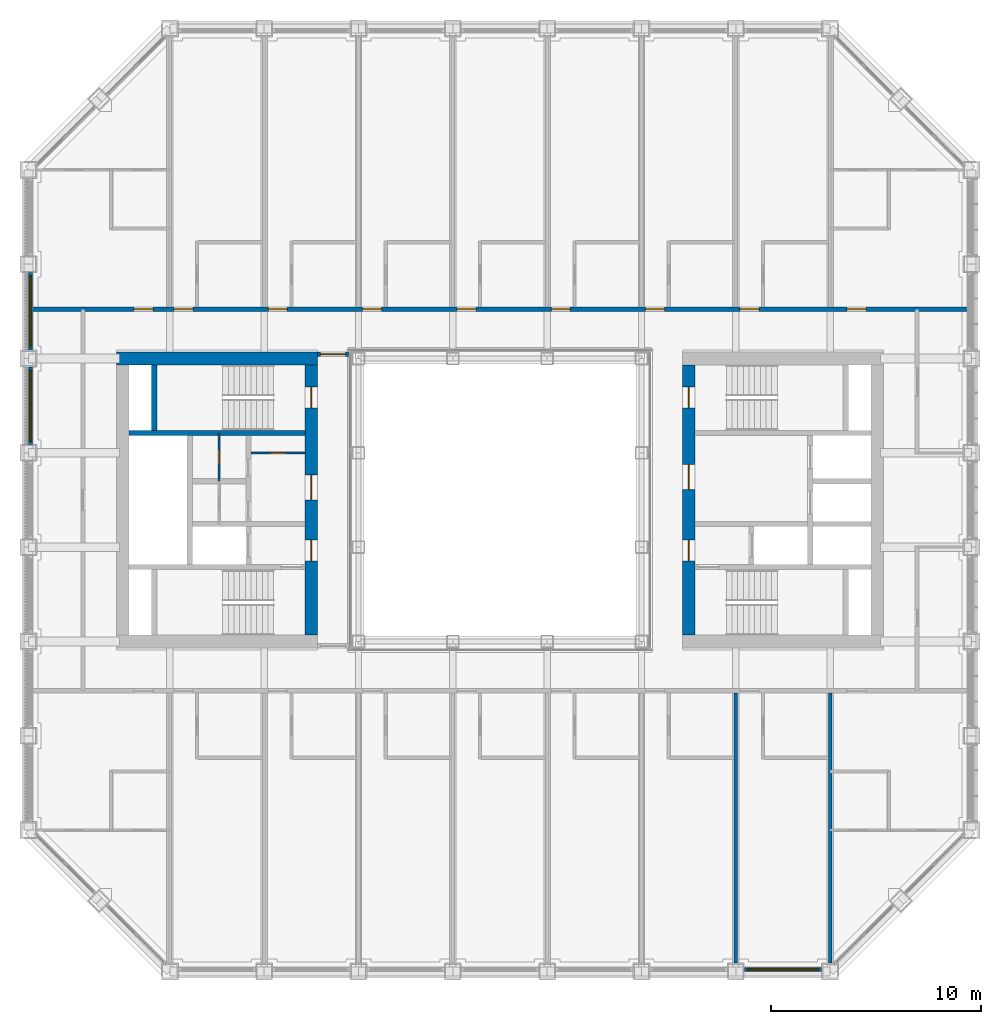
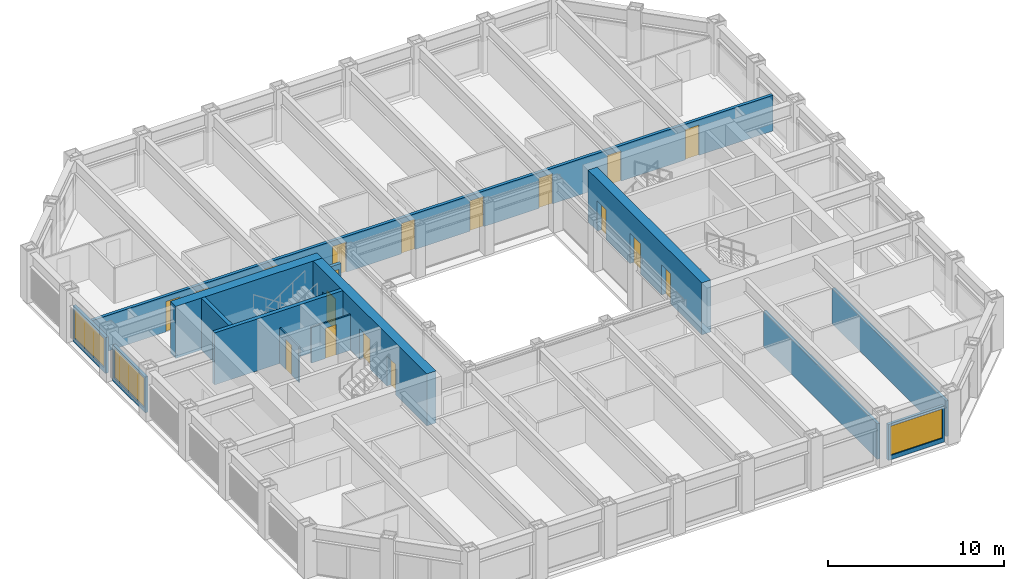
# One storey, part 12 of 18: 18 doors, 14 walls, 3 windows, 21 openings.
"""IFC4 building model written with IfcOpenShell, lengths in metres."""

from ifc_helpers import new_model, si_unit, direction, frame, frame_2d, origin, place, context, subcontext, project, spatial, rectangle, extrude, material, layer, layer_set, type_object, element, fill, save


model = new_model("IFC4")

# Units and contexts
model_context = context("Model", 3, precision=1e-05, world=origin(), true_north=direction((0.0, 1.0)))
body_context = subcontext(model_context, "Body", "Model", "MODEL_VIEW")
ifc_project = project(units=[si_unit("LENGTHUNIT", "METRE"), si_unit("AREAUNIT", "SQUARE_METRE"), si_unit("VOLUMEUNIT", "CUBIC_METRE"), si_unit("PLANEANGLEUNIT", "RADIAN"), si_unit("MASSUNIT", "GRAM", prefix="KILO")], contexts=[model_context])

# Site, building, storey
site_placement = place(None, origin())
site = spatial("IfcSite", under=ifc_project, at=site_placement, CompositionType="ELEMENT")
building_placement = place(site_placement, origin())
building = spatial("IfcBuilding", under=site, at=building_placement, Name="Msasa Ring Tower", CompositionType="ELEMENT")
storey_placement = place(building_placement, frame((0.0, 0.0, 125.60009765625)))
storey = spatial("IfcBuildingStorey", under=building, at=storey_placement, Name="L32", CompositionType="ELEMENT", Elevation=125.60009765625)

# Wall, openings, doors
ifc_material_1 = material(Name="Concrete C60/75", Category="concrete")
ifc_layer_1 = layer(ifc_material_1, 0.60009765625)
ifc_layer_set_1 = layer_set([ifc_layer_1], Name="CW2 CORE WALL 600")
wall_type_1 = type_object("IfcWallType", Name="CW2 CORE WALL 600", PredefinedType="SHEAR", material=ifc_layer_set_1)
wall_1_placement = place(storey_placement, frame((9.0, -6.449951171875, 0.0), z_axis=(0.0, 0.0, 1.0), x_axis=(0.0, 1.0, 0.0)))
wall_1 = element("IfcWall", 1, at=wall_1_placement, inside=storey, type_object=wall_type_1, Name="E core wall W L32", PredefinedType="SHEAR", context=body_context, shape_type="SweptSolid", body=[
    extrude(rectangle(XDim=12.89990234375, YDim=0.60009765625, at=frame_2d((6.449951171875, 0.0))), origin(), (0.0, 0.0, 1.0), 3.599853515625),
])
opening_1_placement = place(wall_1_placement, frame((3.550048828125, 0.0, 0.0)))
opening_1 = element("IfcOpeningElement", 2, at=opening_1_placement, cuts=wall_1, Name="Opening HA-034", PredefinedType="OPENING", context=body_context, shape_type="SweptSolid", body=[
    extrude(rectangle(XDim=1.0, YDim=2.10009765625, at=frame_2d((0.5, 1.050048828125))), frame((0.0, 0.31005859375, 0.0), z_axis=(0.0, -1.0, 0.0), x_axis=(1.0, 0.0, 0.0)), (0.0, 0.0, 1.0), 0.6201171875),
])
opening_2_placement = place(wall_1_placement, frame((6.949951171875, 0.0, 0.0)))
opening_2 = element("IfcOpeningElement", 3, at=opening_2_placement, cuts=wall_1, Name="Opening HA-028", PredefinedType="OPENING", context=body_context, shape_type="SweptSolid", body=[
    extrude(rectangle(XDim=1.199951171875, YDim=2.10009765625, at=frame_2d((0.60009765625, 1.050048828125))), frame((0.0, 0.31005859375, 0.0), z_axis=(0.0, -1.0, 0.0), x_axis=(1.0, 0.0, 0.0)), (0.0, 0.0, 1.0), 0.6201171875),
])
opening_3_placement = place(wall_1_placement, frame((10.85009765625, 0.0, 0.0)))
opening_3 = element("IfcOpeningElement", 4, at=opening_3_placement, cuts=wall_1, Name="Opening HA-024", PredefinedType="OPENING", context=body_context, shape_type="SweptSolid", body=[
    extrude(rectangle(XDim=1.0, YDim=2.10009765625, at=frame_2d((0.5, 1.050048828125))), frame((0.0, 0.31005859375, 0.0), z_axis=(0.0, -1.0, 0.0), x_axis=(1.0, 0.0, 0.0)), (0.0, 0.0, 1.0), 0.6201171875),
])
ifc_material_2 = material(Name="Timber door leaf in a steel frame", Category="steel")
door_type_1 = type_object("IfcDoorType", Name="D4 LOBBY DOOR 1000x2100", OperationType="SINGLE_SWING_LEFT", PredefinedType="DOOR", material=ifc_material_2)
door_1_placement = place(opening_1_placement, origin())
door_1 = element("IfcDoor", 5, at=door_1_placement, inside=storey, type_object=door_type_1, Name="Door L32-EFFL", OperationType="SINGLE_SWING_LEFT", OverallHeight=2.10009765625, OverallWidth=1.0, PredefinedType="DOOR", context=body_context, shape_type="SweptSolid", body=[
    extrude(rectangle(XDim=1.0, YDim=2.10009765625, at=frame_2d((0.5, 1.050048828125))), frame((0.0, 0.02490234375, 0.0), z_axis=(0.0, -1.0, 0.0), x_axis=(1.0, 0.0, 0.0)), (0.0, 0.0, 1.0), 0.050048828125),
])
fill(opening_1, door_1)
ifc_material_3 = material(Name="Timber door leaf in a steel frame", Category="steel")
door_type_2 = type_object("IfcDoorType", Name="D5 WIDE LOBBY DOOR 1200x2100", OperationType="SINGLE_SWING_LEFT", PredefinedType="DOOR", material=ifc_material_3)
door_2_placement = place(opening_2_placement, origin())
door_2 = element("IfcDoor", 6, at=door_2_placement, inside=storey, type_object=door_type_2, Name="Door L32-ELL", OperationType="SINGLE_SWING_RIGHT", OverallHeight=2.10009765625, OverallWidth=1.199951171875, PredefinedType="DOOR", context=body_context, shape_type="SweptSolid", body=[
    extrude(rectangle(XDim=1.199951171875, YDim=2.10009765625, at=frame_2d((0.60009765625, 1.050048828125))), frame((0.0, 0.02490234375, 0.0), z_axis=(0.0, -1.0, 0.0), x_axis=(1.0, 0.0, 0.0)), (0.0, 0.0, 1.0), 0.050048828125),
])
fill(opening_2, door_2)
ifc_material_4 = material(Name="Timber door leaf in a steel frame", Category="steel")
door_type_3 = type_object("IfcDoorType", Name="D6 STAIR DOOR 1000x2100", OperationType="SINGLE_SWING_LEFT", PredefinedType="DOOR", material=ifc_material_4)
door_3_placement = place(opening_3_placement, origin())
door_3 = element("IfcDoor", 7, at=door_3_placement, inside=storey, type_object=door_type_3, Name="Door L32-ESTB", OperationType="SINGLE_SWING_RIGHT", OverallHeight=2.10009765625, OverallWidth=1.0, PredefinedType="DOOR", context=body_context, shape_type="SweptSolid", body=[
    extrude(rectangle(XDim=1.0, YDim=2.10009765625, at=frame_2d((0.5, 1.050048828125))), frame((0.0, 0.02490234375, 0.0), z_axis=(0.0, -1.0, 0.0), x_axis=(1.0, 0.0, 0.0)), (0.0, 0.0, 1.0), 0.050048828125),
])
fill(opening_3, door_3)

# Wall
wall_2_placement = place(storey_placement, frame((-8.699951171875, 6.75, 0.0), z_axis=(0.0, 0.0, 1.0), x_axis=(-1.0, 0.0, 0.0)))
element("IfcWall", 8, at=wall_2_placement, inside=storey, type_object=wall_type_1, Name="W core wall N L32", PredefinedType="SHEAR", context=body_context, shape_type="SweptSolid", body=[
    extrude(rectangle(XDim=9.60009765625, YDim=0.60009765625, at=frame_2d((4.800048828125, 0.0))), origin(), (0.0, 0.0, 1.0), 3.599853515625),
])

# Wall, openings, doors
wall_3_placement = place(storey_placement, frame((-9.0, -6.449951171875, 0.0), z_axis=(0.0, 0.0, 1.0), x_axis=(0.0, 1.0, 0.0)))
wall_3 = element("IfcWall", 9, at=wall_3_placement, inside=storey, type_object=wall_type_1, Name="W core wall W L32", PredefinedType="SHEAR", context=body_context, shape_type="SweptSolid", body=[
    extrude(rectangle(XDim=12.89990234375, YDim=0.60009765625, at=frame_2d((6.449951171875, 0.0))), origin(), (0.0, 0.0, 1.0), 3.599853515625),
])
opening_4_placement = place(wall_3_placement, frame((3.550048828125, 0.0, 0.0)))
opening_4 = element("IfcOpeningElement", 10, at=opening_4_placement, cuts=wall_3, Name="Opening HA-033", PredefinedType="OPENING", context=body_context, shape_type="SweptSolid", body=[
    extrude(rectangle(XDim=1.0, YDim=2.10009765625, at=frame_2d((0.5, 1.050048828125))), frame((0.0, 0.31005859375, 0.0), z_axis=(0.0, -1.0, 0.0), x_axis=(1.0, 0.0, 0.0)), (0.0, 0.0, 1.0), 0.6201171875),
])
opening_5_placement = place(wall_3_placement, frame((6.449951171875, 0.0, 0.0)))
opening_5 = element("IfcOpeningElement", 11, at=opening_5_placement, cuts=wall_3, Name="Opening HA-029", PredefinedType="OPENING", context=body_context, shape_type="SweptSolid", body=[
    extrude(rectangle(XDim=1.199951171875, YDim=2.10009765625, at=frame_2d((0.60009765625, 1.050048828125))), frame((0.0, 0.31005859375, 0.0), z_axis=(0.0, -1.0, 0.0), x_axis=(1.0, 0.0, 0.0)), (0.0, 0.0, 1.0), 0.6201171875),
])
opening_6_placement = place(wall_3_placement, frame((10.85009765625, 0.0, 0.0)))
opening_6 = element("IfcOpeningElement", 12, at=opening_6_placement, cuts=wall_3, Name="Opening HA-023", PredefinedType="OPENING", context=body_context, shape_type="SweptSolid", body=[
    extrude(rectangle(XDim=1.0, YDim=2.10009765625, at=frame_2d((0.5, 1.050048828125))), frame((0.0, 0.31005859375, 0.0), z_axis=(0.0, -1.0, 0.0), x_axis=(1.0, 0.0, 0.0)), (0.0, 0.0, 1.0), 0.6201171875),
])
door_4_placement = place(opening_4_placement, origin())
door_4 = element("IfcDoor", 13, at=door_4_placement, inside=storey, type_object=door_type_1, Name="Door L32-WFFL", OperationType="SINGLE_SWING_LEFT", OverallHeight=2.10009765625, OverallWidth=1.0, PredefinedType="DOOR", context=body_context, shape_type="SweptSolid", body=[
    extrude(rectangle(XDim=1.0, YDim=2.10009765625, at=frame_2d((0.5, 1.050048828125))), frame((0.0, 0.02490234375, 0.0), z_axis=(0.0, -1.0, 0.0), x_axis=(1.0, 0.0, 0.0)), (0.0, 0.0, 1.0), 0.050048828125),
])
fill(opening_4, door_4)
door_5_placement = place(opening_5_placement, origin())
door_5 = element("IfcDoor", 14, at=door_5_placement, inside=storey, type_object=door_type_2, Name="Door L32-WLL", OperationType="SINGLE_SWING_RIGHT", OverallHeight=2.10009765625, OverallWidth=1.199951171875, PredefinedType="DOOR", context=body_context, shape_type="SweptSolid", body=[
    extrude(rectangle(XDim=1.199951171875, YDim=2.10009765625, at=frame_2d((0.60009765625, 1.050048828125))), frame((0.0, 0.02490234375, 0.0), z_axis=(0.0, -1.0, 0.0), x_axis=(1.0, 0.0, 0.0)), (0.0, 0.0, 1.0), 0.050048828125),
])
fill(opening_5, door_5)
door_6_placement = place(opening_6_placement, origin())
door_6 = element("IfcDoor", 15, at=door_6_placement, inside=storey, type_object=door_type_3, Name="Door L32-WSTB", OperationType="SINGLE_SWING_RIGHT", OverallHeight=2.10009765625, OverallWidth=1.0, PredefinedType="DOOR", context=body_context, shape_type="SweptSolid", body=[
    extrude(rectangle(XDim=1.0, YDim=2.10009765625, at=frame_2d((0.5, 1.050048828125))), frame((0.0, 0.02490234375, 0.0), z_axis=(0.0, -1.0, 0.0), x_axis=(1.0, 0.0, 0.0)), (0.0, 0.0, 1.0), 0.050048828125),
])
fill(opening_6, door_6)

# Walls
ifc_material_5 = material(Name="Concrete C60/75", Category="concrete")
ifc_layer_2 = layer(ifc_material_5, 0.25)
ifc_layer_set_2 = layer_set([ifc_layer_2], Name="CW4 CORE INNER WALL 250")
wall_type_2 = type_object("IfcWallType", Name="CW4 CORE INNER WALL 250", PredefinedType="SHEAR", material=ifc_layer_set_2)
wall_4_placement = place(storey_placement, frame((-9.300048828125, 3.199951171875, 0.0), z_axis=(0.0, 0.0, 1.0), x_axis=(-1.0, 0.0, 0.0)))
element("IfcWall", 16, at=wall_4_placement, inside=storey, type_object=wall_type_2, Name="W core wall STAIRB L32", PredefinedType="SHEAR", context=body_context, shape_type="SweptSolid", body=[
    extrude(rectangle(XDim=8.39990234375, YDim=0.25, at=frame_2d((4.199951171875, 0.0))), origin(), (0.0, 0.0, 1.0), 3.599853515625),
])
wall_5_placement = place(storey_placement, frame((-16.5, 3.324951171875, 0.0), z_axis=(0.0, 0.0, 1.0), x_axis=(0.0, 1.0, 0.0)))
element("IfcWall", 17, at=wall_5_placement, inside=storey, type_object=wall_type_2, Name="W core wall RISERB L32", PredefinedType="SHEAR", context=body_context, shape_type="SweptSolid", body=[
    extrude(rectangle(XDim=3.125, YDim=0.25, at=frame_2d((1.5625, 0.0))), origin(), (0.0, 0.0, 1.0), 3.599853515625),
])

# Wall, opening, window
ifc_material_6 = material(Name="Terracotta rainscreen on blockwork", Category="masonry")
ifc_layer_3 = layer(ifc_material_6, 0.199951171875)
ifc_layer_set_3 = layer_set([ifc_layer_3], Name="FW1 TERRACOTTA-LINED INFILL BAY WALL 200")
wall_type_3 = type_object("IfcWallType", Name="FW1 TERRACOTTA-LINED INFILL BAY WALL 200", PredefinedType="SOLIDWALL", material=ifc_layer_set_3)
wall_6_placement = place(storey_placement, frame((11.655029296875, -22.39990234375, 0.0), z_axis=(0.0, 0.0, 1.0), x_axis=(1.0, 0.0, 0.0)))
wall_6 = element("IfcWall", 18, at=wall_6_placement, inside=storey, type_object=wall_type_3, Name="Infill bay wall S L32 06", PredefinedType="SOLIDWALL", context=body_context, shape_type="SweptSolid", body=[
    extrude(rectangle(XDim=3.68994140625, YDim=0.199951171875, at=frame_2d((1.844970703125, 0.0))), origin(), (0.0, 0.0, 1.0), 2.47900390625),
])
opening_7_placement = place(wall_6_placement, frame((0.14501953125, 0.0, 0.300048828125)))
opening_7 = element("IfcOpeningElement", 19, at=opening_7_placement, cuts=wall_6, Name="Opening WN2", PredefinedType="OPENING", context=body_context, shape_type="SweptSolid", body=[
    extrude(rectangle(XDim=3.39990234375, YDim=2.029052734375, at=frame_2d((1.699951171875, 1.0146484375))), frame((0.0, 0.10986328125, 0.0), z_axis=(0.0, -1.0, 0.0), x_axis=(1.0, 0.0, 0.0)), (0.0, 0.0, 1.0), 0.219970703125),
])
ifc_material_7 = material(Name="Aluminium frame with clear glass", Category="aluminium")
window_type = type_object("IfcWindowType", Name="WN2 GUEST ROOM WINDOW 3400x2029", PartitioningType="SINGLE_PANEL", PredefinedType="WINDOW", material=ifc_material_7)
window_1_placement = place(opening_7_placement, origin())
window_1 = element("IfcWindow", 20, at=window_1_placement, inside=storey, type_object=window_type, Name="Window S L32 06", OverallHeight=2.029052734375, OverallWidth=3.39990234375, PartitioningType="SINGLE_PANEL", PredefinedType="WINDOW", context=body_context, shape_type="SweptSolid", body=[
    extrude(rectangle(XDim=3.39990234375, YDim=2.029052734375, at=frame_2d((1.699951171875, 1.0146484375))), frame((0.0, 0.030029296875, 0.0), z_axis=(0.0, -1.0, 0.0), x_axis=(1.0, 0.0, 0.0)), (0.0, 0.0, 1.0), 0.06005859375),
])
fill(opening_7, window_1)

wall_7_placement = place(storey_placement, frame((-22.39990234375, 2.655029296875, 0.0), z_axis=(0.0, 0.0, 1.0), x_axis=(0.0, 1.0, 0.0)))
wall_7 = element("IfcWall", 21, at=wall_7_placement, inside=storey, type_object=wall_type_3, Name="Infill bay wall W L32 31", PredefinedType="SOLIDWALL", context=body_context, shape_type="SweptSolid", body=[
    extrude(rectangle(XDim=3.68994140625, YDim=0.199951171875, at=frame_2d((1.844970703125, 0.0))), origin(), (0.0, 0.0, 1.0), 2.47900390625),
])
opening_8_placement = place(wall_7_placement, frame((0.14501953125, 0.0, 0.300048828125)))
opening_8 = element("IfcOpeningElement", 22, at=opening_8_placement, cuts=wall_7, Name="Opening WN2", PredefinedType="OPENING", context=body_context, shape_type="SweptSolid", body=[
    extrude(rectangle(XDim=3.39990234375, YDim=2.029052734375, at=frame_2d((1.699951171875, 1.0146484375))), frame((0.0, 0.10986328125, 0.0), z_axis=(0.0, -1.0, 0.0), x_axis=(1.0, 0.0, 0.0)), (0.0, 0.0, 1.0), 0.219970703125),
])
window_2_placement = place(opening_8_placement, origin())
window_2 = element("IfcWindow", 23, at=window_2_placement, inside=storey, type_object=window_type, Name="Window W L32 31", OverallHeight=2.029052734375, OverallWidth=3.39990234375, PartitioningType="SINGLE_PANEL", PredefinedType="WINDOW", context=body_context, shape_type="SweptSolid", body=[
    extrude(rectangle(XDim=3.39990234375, YDim=2.029052734375, at=frame_2d((1.699951171875, 1.0146484375))), frame((0.0, 0.030029296875, 0.0), z_axis=(0.0, -1.0, 0.0), x_axis=(1.0, 0.0, 0.0)), (0.0, 0.0, 1.0), 0.06005859375),
])
fill(opening_8, window_2)

wall_8_placement = place(storey_placement, frame((-22.39990234375, 7.155029296875, 0.0), z_axis=(0.0, 0.0, 1.0), x_axis=(0.0, 1.0, 0.0)))
wall_8 = element("IfcWall", 24, at=wall_8_placement, inside=storey, type_object=wall_type_3, Name="Infill bay wall W L32 32", PredefinedType="SOLIDWALL", context=body_context, shape_type="SweptSolid", body=[
    extrude(rectangle(XDim=3.68994140625, YDim=0.199951171875, at=frame_2d((1.844970703125, 0.0))), origin(), (0.0, 0.0, 1.0), 2.47900390625),
])
opening_9_placement = place(wall_8_placement, frame((0.14501953125, 0.0, 0.300048828125)))
opening_9 = element("IfcOpeningElement", 25, at=opening_9_placement, cuts=wall_8, Name="Opening WN2", PredefinedType="OPENING", context=body_context, shape_type="SweptSolid", body=[
    extrude(rectangle(XDim=3.39990234375, YDim=2.029052734375, at=frame_2d((1.699951171875, 1.0146484375))), frame((0.0, 0.10986328125, 0.0), z_axis=(0.0, -1.0, 0.0), x_axis=(1.0, 0.0, 0.0)), (0.0, 0.0, 1.0), 0.219970703125),
])
window_3_placement = place(opening_9_placement, origin())
window_3 = element("IfcWindow", 26, at=window_3_placement, inside=storey, type_object=window_type, Name="Window W L32 32", OverallHeight=2.029052734375, OverallWidth=3.39990234375, PartitioningType="SINGLE_PANEL", PredefinedType="WINDOW", context=body_context, shape_type="SweptSolid", body=[
    extrude(rectangle(XDim=3.39990234375, YDim=2.029052734375, at=frame_2d((1.699951171875, 1.0146484375))), frame((0.0, 0.030029296875, 0.0), z_axis=(0.0, -1.0, 0.0), x_axis=(1.0, 0.0, 0.0)), (0.0, 0.0, 1.0), 0.06005859375),
])
fill(opening_9, window_3)

# Wall, opening, door
ifc_material_8 = material(Name="Concrete blockwork", Category="masonry")
ifc_layer_4 = layer(ifc_material_8, 0.199951171875)
ifc_layer_set_4 = layer_set([ifc_layer_4], Name="PT1 CORRIDOR WALL 200")
wall_type_4 = type_object("IfcWallType", Name="PT1 CORRIDOR WALL 200", PredefinedType="PARTITIONING", material=ifc_layer_set_4)
wall_9_placement = place(storey_placement, frame((-8.699951171875, 6.949951171875, 0.0), z_axis=(0.0, 0.0, 1.0), x_axis=(1.0, 0.0, 0.0)))
wall_9 = element("IfcWall", 27, at=wall_9_placement, inside=storey, type_object=wall_type_4, Name="Corridor wall L32-SDWN", PredefinedType="PARTITIONING", context=body_context, shape_type="SweptSolid", body=[
    extrude(rectangle(XDim=1.469970703125, YDim=0.199951171875, at=frame_2d((0.73486328125, 0.0))), origin(), (0.0, 0.0, 1.0), 2.473388671875),
])
opening_10_placement = place(wall_9_placement, frame((0.135009765625, 0.0, 0.0)))
opening_10 = element("IfcOpeningElement", 28, at=opening_10_placement, cuts=wall_9, Name="Opening HA-021", PredefinedType="OPENING", context=body_context, shape_type="SweptSolid", body=[
    extrude(rectangle(XDim=1.199951171875, YDim=2.10009765625, at=frame_2d((0.60009765625, 1.050048828125))), frame((0.0, 0.10986328125, 0.0), z_axis=(0.0, -1.0, 0.0), x_axis=(1.0, 0.0, 0.0)), (0.0, 0.0, 1.0), 0.219970703125),
])
ifc_material_9 = material(Name="Timber door leaf in a steel frame", Category="steel")
door_type_4 = type_object("IfcDoorType", Name="D25 CORRIDOR PAIR OF SMOKE DOORS 1200x2100", OperationType="DOUBLE_DOOR_DOUBLE_SWING", PredefinedType="DOOR", material=ifc_material_9)
door_7_placement = place(opening_10_placement, origin())
door_7 = element("IfcDoor", 29, at=door_7_placement, inside=storey, type_object=door_type_4, Name="Door L32-SDWN", OperationType="DOUBLE_DOOR_DOUBLE_SWING", OverallHeight=2.10009765625, OverallWidth=1.199951171875, PredefinedType="DOOR", context=body_context, shape_type="SweptSolid", body=[
    extrude(rectangle(XDim=1.199951171875, YDim=2.10009765625, at=frame_2d((0.60009765625, 1.050048828125))), frame((0.0, 0.02490234375, 0.0), z_axis=(0.0, -1.0, 0.0), x_axis=(1.0, 0.0, 0.0)), (0.0, 0.0, 1.0), 0.050048828125),
])
fill(opening_10, door_7)

# Wall, openings, doors
wall_10_placement = place(storey_placement, frame((-22.300048828125, 9.10009765625, 0.0), z_axis=(0.0, 0.0, 1.0), x_axis=(1.0, 0.0, 0.0)))
wall_10 = element("IfcWall", 30, at=wall_10_placement, inside=storey, type_object=wall_type_4, Name="Corridor wall L32-CORRN0", PredefinedType="PARTITIONING", context=body_context, shape_type="SweptSolid", body=[
    extrude(rectangle(XDim=44.60009765625, YDim=0.199951171875, at=frame_2d((22.300048828125, 0.0))), origin(), (0.0, 0.0, 1.0), 2.473388671875),
])
opening_11_placement = place(wall_10_placement, frame((6.75, 0.0, 0.0)))
opening_11 = element("IfcOpeningElement", 31, at=opening_11_placement, cuts=wall_10, Name="Opening HA-013", PredefinedType="OPENING", context=body_context, shape_type="SweptSolid", body=[
    extrude(rectangle(XDim=0.89990234375, YDim=2.10009765625, at=frame_2d((0.449951171875, 1.050048828125))), frame((0.0, 0.10986328125, 0.0), z_axis=(0.0, -1.0, 0.0), x_axis=(1.0, 0.0, 0.0)), (0.0, 0.0, 1.0), 0.219970703125),
])
opening_12_placement = place(wall_10_placement, frame((11.25, 0.0, 0.0)))
opening_12 = element("IfcOpeningElement", 32, at=opening_12_placement, cuts=wall_10, Name="Opening HA-014", PredefinedType="OPENING", context=body_context, shape_type="SweptSolid", body=[
    extrude(rectangle(XDim=0.89990234375, YDim=2.10009765625, at=frame_2d((0.449951171875, 1.050048828125))), frame((0.0, 0.10986328125, 0.0), z_axis=(0.0, -1.0, 0.0), x_axis=(1.0, 0.0, 0.0)), (0.0, 0.0, 1.0), 0.219970703125),
])
opening_13_placement = place(wall_10_placement, frame((15.75, 0.0, 0.0)))
opening_13 = element("IfcOpeningElement", 33, at=opening_13_placement, cuts=wall_10, Name="Opening HA-015", PredefinedType="OPENING", context=body_context, shape_type="SweptSolid", body=[
    extrude(rectangle(XDim=0.89990234375, YDim=2.10009765625, at=frame_2d((0.449951171875, 1.050048828125))), frame((0.0, 0.10986328125, 0.0), z_axis=(0.0, -1.0, 0.0), x_axis=(1.0, 0.0, 0.0)), (0.0, 0.0, 1.0), 0.219970703125),
])
opening_14_placement = place(wall_10_placement, frame((20.25, 0.0, 0.0)))
opening_14 = element("IfcOpeningElement", 34, at=opening_14_placement, cuts=wall_10, Name="Opening HA-016", PredefinedType="OPENING", context=body_context, shape_type="SweptSolid", body=[
    extrude(rectangle(XDim=0.89990234375, YDim=2.10009765625, at=frame_2d((0.449951171875, 1.050048828125))), frame((0.0, 0.10986328125, 0.0), z_axis=(0.0, -1.0, 0.0), x_axis=(1.0, 0.0, 0.0)), (0.0, 0.0, 1.0), 0.219970703125),
])
opening_15_placement = place(wall_10_placement, frame((24.75, 0.0, 0.0)))
opening_15 = element("IfcOpeningElement", 35, at=opening_15_placement, cuts=wall_10, Name="Opening HA-017", PredefinedType="OPENING", context=body_context, shape_type="SweptSolid", body=[
    extrude(rectangle(XDim=0.89990234375, YDim=2.10009765625, at=frame_2d((0.449951171875, 1.050048828125))), frame((0.0, 0.10986328125, 0.0), z_axis=(0.0, -1.0, 0.0), x_axis=(1.0, 0.0, 0.0)), (0.0, 0.0, 1.0), 0.219970703125),
])
opening_16_placement = place(wall_10_placement, frame((29.25, 0.0, 0.0)))
opening_16 = element("IfcOpeningElement", 36, at=opening_16_placement, cuts=wall_10, Name="Opening HA-018", PredefinedType="OPENING", context=body_context, shape_type="SweptSolid", body=[
    extrude(rectangle(XDim=0.89990234375, YDim=2.10009765625, at=frame_2d((0.449951171875, 1.050048828125))), frame((0.0, 0.10986328125, 0.0), z_axis=(0.0, -1.0, 0.0), x_axis=(1.0, 0.0, 0.0)), (0.0, 0.0, 1.0), 0.219970703125),
])
opening_17_placement = place(wall_10_placement, frame((33.75, 0.0, 0.0)))
opening_17 = element("IfcOpeningElement", 37, at=opening_17_placement, cuts=wall_10, Name="Opening HA-019", PredefinedType="OPENING", context=body_context, shape_type="SweptSolid", body=[
    extrude(rectangle(XDim=0.89990234375, YDim=2.10009765625, at=frame_2d((0.449951171875, 1.050048828125))), frame((0.0, 0.10986328125, 0.0), z_axis=(0.0, -1.0, 0.0), x_axis=(1.0, 0.0, 0.0)), (0.0, 0.0, 1.0), 0.219970703125),
])
opening_18_placement = place(wall_10_placement, frame((38.85009765625, 0.0, 0.0)))
opening_18 = element("IfcOpeningElement", 38, at=opening_18_placement, cuts=wall_10, Name="Opening HA-020", PredefinedType="OPENING", context=body_context, shape_type="SweptSolid", body=[
    extrude(rectangle(XDim=0.89990234375, YDim=2.10009765625, at=frame_2d((0.449951171875, 1.050048828125))), frame((0.0, 0.10986328125, 0.0), z_axis=(0.0, -1.0, 0.0), x_axis=(1.0, 0.0, 0.0)), (0.0, 0.0, 1.0), 0.219970703125),
])
opening_19_placement = place(wall_10_placement, frame((4.85009765625, 0.0, 0.0)))
opening_19 = element("IfcOpeningElement", 39, at=opening_19_placement, cuts=wall_10, Name="Opening HA-012", PredefinedType="OPENING", context=body_context, shape_type="SweptSolid", body=[
    extrude(rectangle(XDim=0.89990234375, YDim=2.10009765625, at=frame_2d((0.449951171875, 1.050048828125))), frame((0.0, 0.10986328125, 0.0), z_axis=(0.0, -1.0, 0.0), x_axis=(1.0, 0.0, 0.0)), (0.0, 0.0, 1.0), 0.219970703125),
])
ifc_material_10 = material(Name="Timber door leaf in a steel frame", Category="steel")
door_type_5 = type_object("IfcDoorType", Name="D1 SINGLE DOOR TO CORRIDOR 900x2100", OperationType="SINGLE_SWING_LEFT", PredefinedType="DOOR", material=ifc_material_10)
door_8_placement = place(opening_11_placement, origin())
door_8 = element("IfcDoor", 40, at=door_8_placement, inside=storey, type_object=door_type_5, Name="Door L32-GN00", OperationType="SINGLE_SWING_LEFT", OverallHeight=2.10009765625, OverallWidth=0.89990234375, PredefinedType="DOOR", context=body_context, shape_type="SweptSolid", body=[
    extrude(rectangle(XDim=0.89990234375, YDim=2.10009765625, at=frame_2d((0.449951171875, 1.050048828125))), frame((0.0, 0.02490234375, 0.0), z_axis=(0.0, -1.0, 0.0), x_axis=(1.0, 0.0, 0.0)), (0.0, 0.0, 1.0), 0.050048828125),
])
fill(opening_11, door_8)
door_9_placement = place(opening_12_placement, origin())
door_9 = element("IfcDoor", 41, at=door_9_placement, inside=storey, type_object=door_type_5, Name="Door L32-GN01", OperationType="SINGLE_SWING_LEFT", OverallHeight=2.10009765625, OverallWidth=0.89990234375, PredefinedType="DOOR", context=body_context, shape_type="SweptSolid", body=[
    extrude(rectangle(XDim=0.89990234375, YDim=2.10009765625, at=frame_2d((0.449951171875, 1.050048828125))), frame((0.0, 0.02490234375, 0.0), z_axis=(0.0, -1.0, 0.0), x_axis=(1.0, 0.0, 0.0)), (0.0, 0.0, 1.0), 0.050048828125),
])
fill(opening_12, door_9)
door_10_placement = place(opening_13_placement, origin())
door_10 = element("IfcDoor", 42, at=door_10_placement, inside=storey, type_object=door_type_5, Name="Door L32-GN02", OperationType="SINGLE_SWING_LEFT", OverallHeight=2.10009765625, OverallWidth=0.89990234375, PredefinedType="DOOR", context=body_context, shape_type="SweptSolid", body=[
    extrude(rectangle(XDim=0.89990234375, YDim=2.10009765625, at=frame_2d((0.449951171875, 1.050048828125))), frame((0.0, 0.02490234375, 0.0), z_axis=(0.0, -1.0, 0.0), x_axis=(1.0, 0.0, 0.0)), (0.0, 0.0, 1.0), 0.050048828125),
])
fill(opening_13, door_10)
door_11_placement = place(opening_14_placement, origin())
door_11 = element("IfcDoor", 43, at=door_11_placement, inside=storey, type_object=door_type_5, Name="Door L32-GN03", OperationType="SINGLE_SWING_LEFT", OverallHeight=2.10009765625, OverallWidth=0.89990234375, PredefinedType="DOOR", context=body_context, shape_type="SweptSolid", body=[
    extrude(rectangle(XDim=0.89990234375, YDim=2.10009765625, at=frame_2d((0.449951171875, 1.050048828125))), frame((0.0, 0.02490234375, 0.0), z_axis=(0.0, -1.0, 0.0), x_axis=(1.0, 0.0, 0.0)), (0.0, 0.0, 1.0), 0.050048828125),
])
fill(opening_14, door_11)
door_12_placement = place(opening_15_placement, origin())
door_12 = element("IfcDoor", 44, at=door_12_placement, inside=storey, type_object=door_type_5, Name="Door L32-GN04", OperationType="SINGLE_SWING_RIGHT", OverallHeight=2.10009765625, OverallWidth=0.89990234375, PredefinedType="DOOR", context=body_context, shape_type="SweptSolid", body=[
    extrude(rectangle(XDim=0.89990234375, YDim=2.10009765625, at=frame_2d((0.449951171875, 1.050048828125))), frame((0.0, 0.02490234375, 0.0), z_axis=(0.0, -1.0, 0.0), x_axis=(1.0, 0.0, 0.0)), (0.0, 0.0, 1.0), 0.050048828125),
])
fill(opening_15, door_12)
door_13_placement = place(opening_16_placement, origin())
door_13 = element("IfcDoor", 45, at=door_13_placement, inside=storey, type_object=door_type_5, Name="Door L32-GN05", OperationType="SINGLE_SWING_RIGHT", OverallHeight=2.10009765625, OverallWidth=0.89990234375, PredefinedType="DOOR", context=body_context, shape_type="SweptSolid", body=[
    extrude(rectangle(XDim=0.89990234375, YDim=2.10009765625, at=frame_2d((0.449951171875, 1.050048828125))), frame((0.0, 0.02490234375, 0.0), z_axis=(0.0, -1.0, 0.0), x_axis=(1.0, 0.0, 0.0)), (0.0, 0.0, 1.0), 0.050048828125),
])
fill(opening_16, door_13)
door_14_placement = place(opening_17_placement, origin())
door_14 = element("IfcDoor", 46, at=door_14_placement, inside=storey, type_object=door_type_5, Name="Door L32-GN06", OperationType="SINGLE_SWING_RIGHT", OverallHeight=2.10009765625, OverallWidth=0.89990234375, PredefinedType="DOOR", context=body_context, shape_type="SweptSolid", body=[
    extrude(rectangle(XDim=0.89990234375, YDim=2.10009765625, at=frame_2d((0.449951171875, 1.050048828125))), frame((0.0, 0.02490234375, 0.0), z_axis=(0.0, -1.0, 0.0), x_axis=(1.0, 0.0, 0.0)), (0.0, 0.0, 1.0), 0.050048828125),
])
fill(opening_17, door_14)
ifc_material_11 = material(Name="Timber door leaf in a steel frame", Category="steel")
door_type_6 = type_object("IfcDoorType", Name="D2 ENTRANCE DOOR 900x2100", OperationType="SINGLE_SWING_LEFT", PredefinedType="DOOR", material=ifc_material_11)
door_15_placement = place(opening_18_placement, origin())
door_15 = element("IfcDoor", 47, at=door_15_placement, inside=storey, type_object=door_type_6, Name="Door L32-CSNE", OperationType="SINGLE_SWING_RIGHT", OverallHeight=2.10009765625, OverallWidth=0.89990234375, PredefinedType="DOOR", context=body_context, shape_type="SweptSolid", body=[
    extrude(rectangle(XDim=0.89990234375, YDim=2.10009765625, at=frame_2d((0.449951171875, 1.050048828125))), frame((0.0, 0.02490234375, 0.0), z_axis=(0.0, -1.0, 0.0), x_axis=(1.0, 0.0, 0.0)), (0.0, 0.0, 1.0), 0.050048828125),
])
fill(opening_18, door_15)
door_16_placement = place(opening_19_placement, origin())
door_16 = element("IfcDoor", 48, at=door_16_placement, inside=storey, type_object=door_type_6, Name="Door L32-CSNW", OperationType="SINGLE_SWING_LEFT", OverallHeight=2.10009765625, OverallWidth=0.89990234375, PredefinedType="DOOR", context=body_context, shape_type="SweptSolid", body=[
    extrude(rectangle(XDim=0.89990234375, YDim=2.10009765625, at=frame_2d((0.449951171875, 1.050048828125))), frame((0.0, 0.02490234375, 0.0), z_axis=(0.0, -1.0, 0.0), x_axis=(1.0, 0.0, 0.0)), (0.0, 0.0, 1.0), 0.050048828125),
])
fill(opening_19, door_16)

# Wall, opening, door
ifc_material_12 = material(Name="Gypsum board on steel studs", Category="steel")
ifc_layer_5 = layer(ifc_material_12, 0.10009765625)
ifc_layer_set_5 = layer_set([ifc_layer_5], Name="PT2 STUD PARTITION 100")
wall_type_5 = type_object("IfcWallType", Name="PT2 STUD PARTITION 100", PredefinedType="PARTITIONING", material=ifc_layer_set_5)
wall_11_placement = place(storey_placement, frame((-11.875, 2.25, 0.0), z_axis=(0.0, 0.0, 1.0), x_axis=(1.0, 0.0, 0.0)))
wall_11 = element("IfcWall", 49, at=wall_11_placement, inside=storey, type_object=wall_type_5, Name="Partition L32-WCP", PredefinedType="PARTITIONING", context=body_context, shape_type="SweptSolid", body=[
    extrude(rectangle(XDim=2.574951171875, YDim=0.10009765625, at=frame_2d((1.28759765625, 0.0))), origin(), (0.0, 0.0, 1.0), 2.473388671875),
])
opening_20_placement = place(wall_11_placement, frame((0.9375, 0.0, 0.0)))
opening_20 = element("IfcOpeningElement", 50, at=opening_20_placement, cuts=wall_11, Name="Opening HA-025", PredefinedType="OPENING", context=body_context, shape_type="SweptSolid", body=[
    extrude(rectangle(XDim=0.699951171875, YDim=2.10009765625, at=frame_2d((0.35009765625, 1.050048828125))), frame((0.0, 0.06005859375, 0.0), z_axis=(0.0, -1.0, 0.0), x_axis=(1.0, 0.0, 0.0)), (0.0, 0.0, 1.0), 0.1201171875),
])
ifc_material_13 = material(Name="Timber door leaf in a steel frame", Category="steel")
door_type_7 = type_object("IfcDoorType", Name="D32 INTERNAL NARROW STORE DOOR 700x2100", OperationType="SINGLE_SWING_LEFT", PredefinedType="DOOR", material=ifc_material_13)
door_17_placement = place(opening_20_placement, origin())
door_17 = element("IfcDoor", 51, at=door_17_placement, inside=storey, type_object=door_type_7, Name="Door L32-WCP", OperationType="SINGLE_SWING_LEFT", OverallHeight=2.10009765625, OverallWidth=0.699951171875, PredefinedType="DOOR", context=body_context, shape_type="SweptSolid", body=[
    extrude(rectangle(XDim=0.699951171875, YDim=2.10009765625, at=frame_2d((0.35009765625, 1.050048828125))), frame((0.0, 0.02490234375, 0.0), z_axis=(0.0, -1.0, 0.0), x_axis=(1.0, 0.0, 0.0)), (0.0, 0.0, 1.0), 0.050048828125),
])
fill(opening_20, door_17)

wall_12_placement = place(storey_placement, frame((-13.39990234375, 0.89990234375, 0.0), z_axis=(0.0, 0.0, 1.0), x_axis=(0.0, 1.0, 0.0)))
wall_12 = element("IfcWall", 52, at=wall_12_placement, inside=storey, type_object=wall_type_5, Name="Partition L32-WRP2", PredefinedType="PARTITIONING", context=body_context, shape_type="SweptSolid", body=[
    extrude(rectangle(XDim=2.300048828125, YDim=0.10009765625, at=frame_2d((1.14990234375, 0.0))), origin(), (0.0, 0.0, 1.0), 2.473388671875),
])
opening_21_placement = place(wall_12_placement, frame((0.800048828125, 0.0, 0.0)))
opening_21 = element("IfcOpeningElement", 53, at=opening_21_placement, cuts=wall_12, Name="Opening HA-026", PredefinedType="OPENING", context=body_context, shape_type="SweptSolid", body=[
    extrude(rectangle(XDim=0.699951171875, YDim=2.10009765625, at=frame_2d((0.35009765625, 1.050048828125))), frame((0.0, 0.06005859375, 0.0), z_axis=(0.0, -1.0, 0.0), x_axis=(1.0, 0.0, 0.0)), (0.0, 0.0, 1.0), 0.1201171875),
])
door_18_placement = place(opening_21_placement, origin())
door_18 = element("IfcDoor", 54, at=door_18_placement, inside=storey, type_object=door_type_7, Name="Door L32-WRC2", OperationType="SINGLE_SWING_LEFT", OverallHeight=2.10009765625, OverallWidth=0.699951171875, PredefinedType="DOOR", context=body_context, shape_type="SweptSolid", body=[
    extrude(rectangle(XDim=0.699951171875, YDim=2.10009765625, at=frame_2d((0.35009765625, 1.050048828125))), frame((0.0, 0.02490234375, 0.0), z_axis=(0.0, -1.0, 0.0), x_axis=(1.0, 0.0, 0.0)), (0.0, 0.0, 1.0), 0.050048828125),
])
fill(opening_21, door_18)

# Walls
ifc_material_14 = material(Name="Twin steel studs, two layers of acoustic board each face, mineral wool", Category="steel")
ifc_layer_6 = layer(ifc_material_14, 0.175048828125)
ifc_layer_set_6 = layer_set([ifc_layer_6], Name="PT5 GUEST ROOM SEPARATING WALL 175")
wall_type_6 = type_object("IfcWallType", Name="PT5 GUEST ROOM SEPARATING WALL 175", PredefinedType="PARTITIONING", material=ifc_layer_set_6)
for number, where, z_axis, x_axis, name in (
    (55, (11.25, -22.10009765625, 0.0), (0.0, 0.0, 1.0), (0.0, 1.0, 0.0), "Partition L32-PWS+11.25"),
    (56, (15.75, -22.10009765625, 0.0), (0.0, 0.0, 1.0), (0.0, 1.0, 0.0), "Partition L32-PWS+15.75"),
):
    element("IfcWall", number, at=place(storey_placement, frame(where, z_axis=z_axis, x_axis=x_axis)), inside=storey, type_object=wall_type_6, Name=name, PredefinedType="PARTITIONING", context=body_context, shape_type="SweptSolid", body=[
        extrude(rectangle(XDim=12.900146484375, YDim=0.175048828125, at=frame_2d((6.4501953125, 0.0))), origin(), (0.0, 0.0, 1.0), 2.473388671875),
    ])

save(model, "model.ifc")
